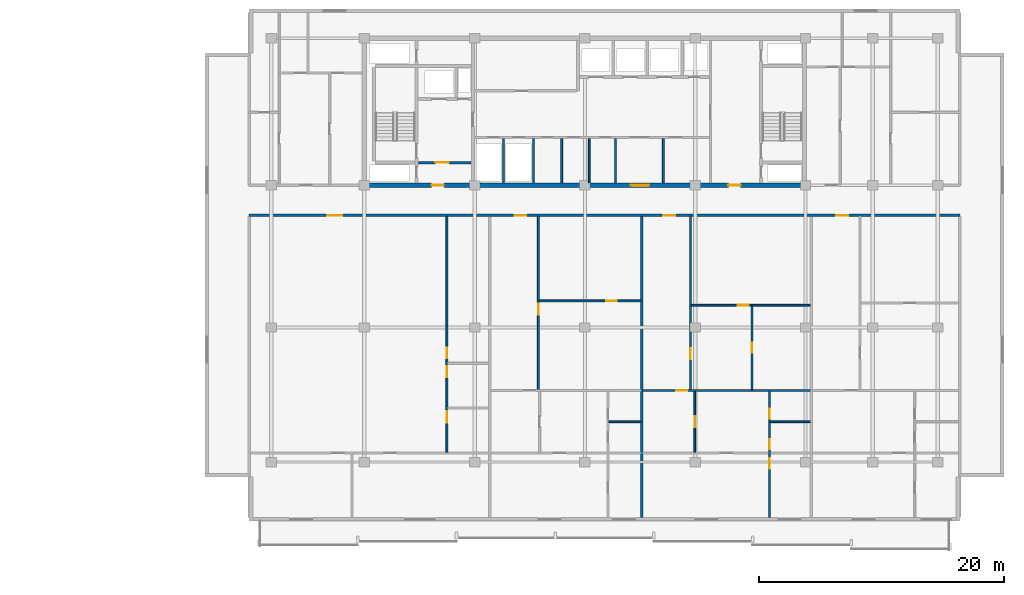
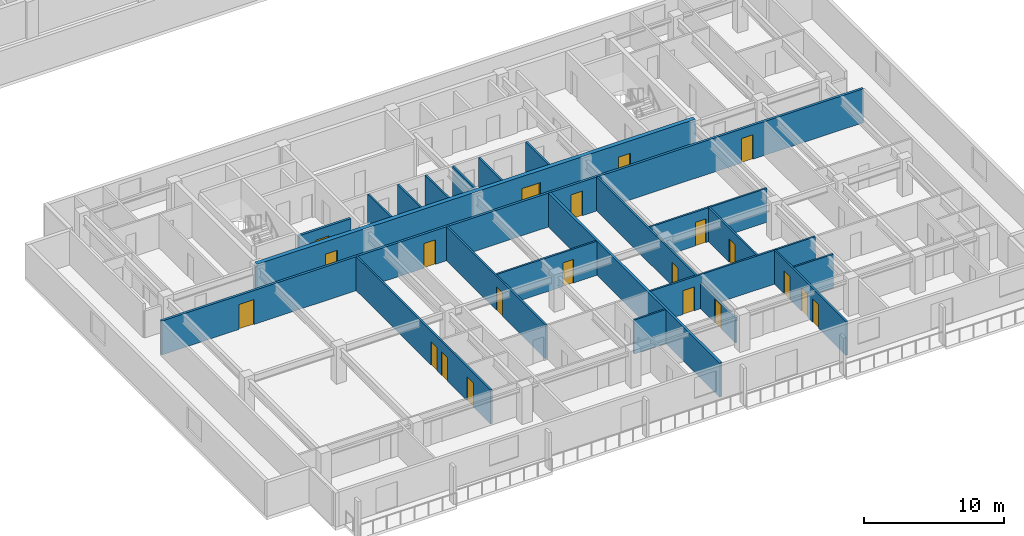
# One storey, part 5 of 21: 21 doors, 21 walls, 21 openings.
"""IFC4 building model written with IfcOpenShell, lengths in metres."""

from ifc_helpers import new_model, si_unit, direction, frame, frame_2d, origin, place, context, subcontext, project, spatial, rectangle, extrude, material, layer, layer_set, type_object, element, fill, save


model = new_model("IFC4")

# Units and contexts
model_context = context("Model", 3, precision=1e-05, world=origin(), true_north=direction((0.0, 1.0)))
body_context = subcontext(model_context, "Body", "Model", "MODEL_VIEW")
ifc_project = project(units=[si_unit("LENGTHUNIT", "METRE"), si_unit("AREAUNIT", "SQUARE_METRE"), si_unit("VOLUMEUNIT", "CUBIC_METRE"), si_unit("PLANEANGLEUNIT", "RADIAN"), si_unit("MASSUNIT", "GRAM", prefix="KILO")], contexts=[model_context])

# Site, building, storey
site_placement = place(None, origin())
site = spatial("IfcSite", under=ifc_project, at=site_placement, CompositionType="ELEMENT")
building_placement = place(site_placement, origin())
building = spatial("IfcBuilding", under=site, at=building_placement, Name="Korimba Cascade Residences", CompositionType="ELEMENT")
storey_placement = place(building_placement, frame((0.0, 0.0, 106.800048828125)))
storey = spatial("IfcBuildingStorey", under=building, at=storey_placement, Name="L30", CompositionType="ELEMENT", Elevation=106.800048828125)

# Wall, openings, doors
ifc_material_1 = material(Name="Concrete C65/80", Category="concrete")
ifc_layer_1 = layer(ifc_material_1, 0.35009765625)
ifc_layer_set_1 = layer_set([ifc_layer_1], Name="Concrete C65/80")
wall_type_1 = type_object("IfcWallType", Name="WAL-CORE-350", PredefinedType="SHEAR", material=ifc_layer_set_1)
wall_1_placement = place(storey_placement, frame((81.925048828125, 18.39990234375, 0.0), z_axis=(0.0, 0.0, 1.0), x_axis=(1.0, 0.0, 0.0)))
wall_1 = element("IfcWall", 1, at=wall_1_placement, inside=storey, type_object=wall_type_1, Name="L30 Core Shear Wall CW-L30-T2-S", PredefinedType="SHEAR", context=body_context, shape_type="SweptSolid", body=[
    extrude(rectangle(XDim=36.264892578125, YDim=0.35009765625, at=frame_2d((18.13232421875, 0.0))), origin(), (0.0, 0.0, 1.0), 3.25),
])
opening_1_placement = place(wall_1_placement, frame((5.675048828125, 0.0, 0.0)))
opening_1 = element("IfcOpeningElement", 2, at=opening_1_placement, cuts=wall_1, Name="Opening D-FD5", PredefinedType="OPENING", context=body_context, shape_type="SweptSolid", body=[
    extrude(rectangle(XDim=1.0, YDim=2.14990234375, at=frame_2d((0.5, 1.074951171875))), frame((0.0, 0.18505859375, 0.0), z_axis=(0.0, -1.0, 0.0), x_axis=(1.0, 0.0, 0.0)), (0.0, 0.0, 1.0), 0.3701171875),
])
opening_2_placement = place(wall_1_placement, frame((21.925048828125, 0.0, 0.0)))
opening_2 = element("IfcOpeningElement", 3, at=opening_2_placement, cuts=wall_1, Name="Opening D-FD8", PredefinedType="OPENING", context=body_context, shape_type="SweptSolid", body=[
    extrude(rectangle(XDim=1.5, YDim=2.199951171875, at=frame_2d((0.75, 1.10009765625))), frame((0.0, 0.18505859375, 0.0), z_axis=(0.0, -1.0, 0.0), x_axis=(1.0, 0.0, 0.0)), (0.0, 0.0, 1.0), 0.3701171875),
])
opening_3_placement = place(wall_1_placement, frame((29.875, 0.0, 0.0)))
opening_3 = element("IfcOpeningElement", 4, at=opening_3_placement, cuts=wall_1, Name="Opening D-FD5", PredefinedType="OPENING", context=body_context, shape_type="SweptSolid", body=[
    extrude(rectangle(XDim=1.0, YDim=2.14990234375, at=frame_2d((0.5, 1.074951171875))), frame((0.0, 0.18505859375, 0.0), z_axis=(0.0, -1.0, 0.0), x_axis=(1.0, 0.0, 0.0)), (0.0, 0.0, 1.0), 0.3701171875),
])
ifc_material_2 = material(Name="Fire-Rated Acoustic Timber Vestibule Door", Category="wood")
door_type_1 = type_object("IfcDoorType", Name="DR-FD90-1000", OperationType="NOTDEFINED", PredefinedType="DOOR", material=ifc_material_2)
door_1_placement = place(opening_1_placement, origin())
door_1 = element("IfcDoor", 5, at=door_1_placement, inside=storey, type_object=door_type_1, Name="L30 T2 West Core Vestibule Fire Door", OperationType="SINGLE_SWING_LEFT", OverallHeight=2.14990234375, OverallWidth=1.0, PredefinedType="DOOR", context=body_context, shape_type="SweptSolid", body=[
    extrude(rectangle(XDim=1.0, YDim=2.14990234375, at=frame_2d((0.5, 1.074951171875))), frame((0.0, 0.02490234375, 0.0), z_axis=(0.0, -1.0, 0.0), x_axis=(1.0, 0.0, 0.0)), (0.0, 0.0, 1.0), 0.050048828125),
])
fill(opening_1, door_1)
door_2_placement = place(opening_3_placement, origin())
door_2 = element("IfcDoor", 6, at=door_2_placement, inside=storey, type_object=door_type_1, Name="L30 T2 East Stair Vestibule Fire Door", OperationType="SINGLE_SWING_RIGHT", OverallHeight=2.14990234375, OverallWidth=1.0, PredefinedType="DOOR", context=body_context, shape_type="SweptSolid", body=[
    extrude(rectangle(XDim=1.0, YDim=2.14990234375, at=frame_2d((0.5, 1.074951171875))), frame((0.0, 0.02490234375, 0.0), z_axis=(0.0, -1.0, 0.0), x_axis=(1.0, 0.0, 0.0)), (0.0, 0.0, 1.0), 0.050048828125),
])
fill(opening_3, door_2)
ifc_material_3 = material(Name="Fire-Rated Glazed Lift Lobby Double Door", Category="glass")
door_type_2 = type_object("IfcDoorType", Name="DR-FD90-1500", OperationType="NOTDEFINED", PredefinedType="DOOR", material=ifc_material_3)
door_3_placement = place(opening_2_placement, origin())
door_3 = element("IfcDoor", 7, at=door_3_placement, inside=storey, type_object=door_type_2, Name="L30 T2 Lift Lobby Fire Door", OperationType="DOUBLE_DOOR_SINGLE_SWING", OverallHeight=2.199951171875, OverallWidth=1.5, PredefinedType="DOOR", context=body_context, shape_type="SweptSolid", body=[
    extrude(rectangle(XDim=1.5, YDim=2.199951171875, at=frame_2d((0.75, 1.10009765625))), frame((0.0, 0.02490234375, 0.0), z_axis=(0.0, -1.0, 0.0), x_axis=(1.0, 0.0, 0.0)), (0.0, 0.0, 1.0), 0.050048828125),
])
fill(opening_2, door_3)

# Wall
ifc_material_4 = material(Name="Precast concrete C40/50", Category="concrete")
ifc_layer_2 = layer(ifc_material_4, 0.199951171875)
ifc_layer_set_2 = layer_set([ifc_layer_2], Name="Precast concrete C40/50")
wall_type_2 = type_object("IfcWallType", Name="WAL-IT-200", PredefinedType="PARTITIONING", material=ifc_layer_set_2)
wall_2_placement = place(storey_placement, frame((104.75, -8.699951171875, 0.0), z_axis=(0.0, 0.0, 1.0), x_axis=(0.0, 1.0, 0.0)))
element("IfcWall", 8, at=wall_2_placement, inside=storey, type_object=wall_type_2, Name="L30 Partition Wall WAL-L30-T2-DEM-2", PredefinedType="PARTITIONING", context=body_context, shape_type="SweptSolid", body=[
    extrude(rectangle(XDim=24.570068359375, YDim=0.199951171875, at=frame_2d((12.28515625, 0.0))), origin(), (0.0, 0.0, 1.0), 2.969970703125),
])

# Wall, openings, doors
wall_3_placement = place(storey_placement, frame((72.699951171875, 15.949951171875, 0.0), z_axis=(0.0, 0.0, 1.0), x_axis=(1.0, 0.0, 0.0)))
wall_3 = element("IfcWall", 9, at=wall_3_placement, inside=storey, type_object=wall_type_2, Name="L30 Partition Wall WAL-L30-T2-CORS", PredefinedType="PARTITIONING", context=body_context, shape_type="SweptSolid", body=[
    extrude(rectangle(XDim=58.0, YDim=0.199951171875, at=frame_2d((29.0, 0.0))), origin(), (0.0, 0.0, 1.0), 2.969970703125),
])
opening_4_placement = place(wall_3_placement, frame((6.373291015625, 0.0, 0.0)))
opening_4 = element("IfcOpeningElement", 10, at=opening_4_placement, cuts=wall_3, Name="Opening D-AM1", PredefinedType="OPENING", context=body_context, shape_type="SweptSolid", body=[
    extrude(rectangle(XDim=1.219970703125, YDim=2.179931640625, at=frame_2d((0.60986328125, 1.08984375))), frame((0.0, 0.10986328125, 0.0), z_axis=(0.0, -1.0, 0.0), x_axis=(1.0, 0.0, 0.0)), (0.0, 0.0, 1.0), 0.219970703125),
])
opening_5_placement = place(wall_3_placement, frame((21.67822265625, 0.0, 0.0)))
opening_5 = element("IfcOpeningElement", 11, at=opening_5_placement, cuts=wall_3, Name="Opening D-UN1", PredefinedType="OPENING", context=body_context, shape_type="SweptSolid", body=[
    extrude(rectangle(XDim=0.949951171875, YDim=2.14990234375, at=frame_2d((0.47509765625, 1.074951171875))), frame((0.0, 0.10986328125, 0.0), z_axis=(0.0, -1.0, 0.0), x_axis=(1.0, 0.0, 0.0)), (0.0, 0.0, 1.0), 0.219970703125),
])
opening_6_placement = place(wall_3_placement, frame((33.81201171875, 0.0, 0.0)))
opening_6 = element("IfcOpeningElement", 12, at=opening_6_placement, cuts=wall_3, Name="Opening D-UN1", PredefinedType="OPENING", context=body_context, shape_type="SweptSolid", body=[
    extrude(rectangle(XDim=0.949951171875, YDim=2.14990234375, at=frame_2d((0.47509765625, 1.074951171875))), frame((0.0, 0.10986328125, 0.0), z_axis=(0.0, -1.0, 0.0), x_axis=(1.0, 0.0, 0.0)), (0.0, 0.0, 1.0), 0.219970703125),
])
opening_7_placement = place(wall_3_placement, frame((47.92822265625, 0.0, 0.0)))
opening_7 = element("IfcOpeningElement", 13, at=opening_7_placement, cuts=wall_3, Name="Opening D-UN1", PredefinedType="OPENING", context=body_context, shape_type="SweptSolid", body=[
    extrude(rectangle(XDim=0.949951171875, YDim=2.14990234375, at=frame_2d((0.47509765625, 1.074951171875))), frame((0.0, 0.10986328125, 0.0), z_axis=(0.0, -1.0, 0.0), x_axis=(1.0, 0.0, 0.0)), (0.0, 0.0, 1.0), 0.219970703125),
])
ifc_material_5 = material(Name="Fire-Rated Glazed Timber Suite Door", Category="wood")
door_type_3 = type_object("IfcDoorType", Name="DR-FD60-1200", OperationType="NOTDEFINED", PredefinedType="DOOR", material=ifc_material_5)
door_4_placement = place(opening_4_placement, origin())
door_4 = element("IfcDoor", 14, at=door_4_placement, inside=storey, type_object=door_type_3, Name="L30-T2-U01 Architecture Reading Library Door", OperationType="SINGLE_SWING_RIGHT", OverallHeight=2.179931640625, OverallWidth=1.219970703125, PredefinedType="DOOR", context=body_context, shape_type="SweptSolid", body=[
    extrude(rectangle(XDim=1.219970703125, YDim=2.179931640625, at=frame_2d((0.60986328125, 1.08984375))), frame((0.0, 0.02490234375, 0.0), z_axis=(0.0, -1.0, 0.0), x_axis=(1.0, 0.0, 0.0)), (0.0, 0.0, 1.0), 0.050048828125),
])
fill(opening_4, door_4)
ifc_material_6 = material(Name="Fire-Rated Hardwood Apartment Entrance Door", Category="wood")
door_type_4 = type_object("IfcDoorType", Name="DR-FD60-950", OperationType="NOTDEFINED", PredefinedType="DOOR", material=ifc_material_6)
door_5_placement = place(opening_5_placement, origin())
door_5 = element("IfcDoor", 15, at=door_5_placement, inside=storey, type_object=door_type_4, Name="Unit L30-T2-U02 Entrance Door", OperationType="SINGLE_SWING_LEFT", OverallHeight=2.14990234375, OverallWidth=0.949951171875, PredefinedType="DOOR", context=body_context, shape_type="SweptSolid", body=[
    extrude(rectangle(XDim=0.949951171875, YDim=2.14990234375, at=frame_2d((0.47509765625, 1.074951171875))), frame((0.0, 0.02490234375, 0.0), z_axis=(0.0, -1.0, 0.0), x_axis=(1.0, 0.0, 0.0)), (0.0, 0.0, 1.0), 0.050048828125),
])
fill(opening_5, door_5)
door_6_placement = place(opening_6_placement, origin())
door_6 = element("IfcDoor", 16, at=door_6_placement, inside=storey, type_object=door_type_4, Name="Unit L30-T2-U03 Entrance Door", OperationType="SINGLE_SWING_RIGHT", OverallHeight=2.14990234375, OverallWidth=0.949951171875, PredefinedType="DOOR", context=body_context, shape_type="SweptSolid", body=[
    extrude(rectangle(XDim=0.949951171875, YDim=2.14990234375, at=frame_2d((0.47509765625, 1.074951171875))), frame((0.0, 0.02490234375, 0.0), z_axis=(0.0, -1.0, 0.0), x_axis=(1.0, 0.0, 0.0)), (0.0, 0.0, 1.0), 0.050048828125),
])
fill(opening_6, door_6)
door_7_placement = place(opening_7_placement, origin())
door_7 = element("IfcDoor", 17, at=door_7_placement, inside=storey, type_object=door_type_4, Name="Unit L30-T2-U04 Entrance Door", OperationType="SINGLE_SWING_LEFT", OverallHeight=2.14990234375, OverallWidth=0.949951171875, PredefinedType="DOOR", context=body_context, shape_type="SweptSolid", body=[
    extrude(rectangle(XDim=0.949951171875, YDim=2.14990234375, at=frame_2d((0.47509765625, 1.074951171875))), frame((0.0, 0.02490234375, 0.0), z_axis=(0.0, -1.0, 0.0), x_axis=(1.0, 0.0, 0.0)), (0.0, 0.0, 1.0), 0.050048828125),
])
fill(opening_7, door_7)

# Walls
ifc_material_7 = material(Name="Insulated Acoustic Stud Partition", Category="gypsum")
ifc_layer_3 = layer(ifc_material_7, 0.14990234375)
ifc_layer_set_3 = layer_set([ifc_layer_3], Name="Insulated Acoustic Stud Partition")
wall_type_3 = type_object("IfcWallType", Name="WAL-PART-150", PredefinedType="PARTITIONING", material=ifc_layer_set_3)
for number, where, z_axis, x_axis, name in (
    (18, (93.449951171875, 18.60009765625, 0.0), (0.0, 0.0, 1.0), (0.0, 1.0, 0.0), "L30 Partition Wall CW-L30-T2-ERDIV"),
    (19, (95.89990234375, 18.60009765625, 0.0), (0.0, 0.0, 1.0), (0.0, 1.0, 0.0), "L30 Partition Wall CW-L30-T2-PRDIV"),
    (20, (98.199951171875, 18.60009765625, 0.0), (0.0, 0.0, 1.0), (0.0, 1.0, 0.0), "L30 Partition Wall CW-L30-T2-CA1W1"),
    (21, (100.449951171875, 18.60009765625, 0.0), (0.0, 0.0, 1.0), (0.0, 1.0, 0.0), "L30 Partition Wall CW-L30-T2-CA1W2"),
    (22, (102.60009765625, 18.60009765625, 0.0), (0.0, 0.0, 1.0), (0.0, 1.0, 0.0), "L30 Partition Wall CW-L30-T2-THW"),
    (23, (106.5, 18.60009765625, 0.0), (0.0, 0.0, 1.0), (0.0, 1.0, 0.0), "L30 Partition Wall CW-L30-T2-THE"),
):
    element("IfcWall", number, at=place(storey_placement, frame(where, z_axis=z_axis, x_axis=x_axis)), inside=storey, type_object=wall_type_3, Name=name, PredefinedType="PARTITIONING", context=body_context, shape_type="SweptSolid", body=[
        extrude(rectangle(XDim=3.599853515625, YDim=0.14990234375, at=frame_2d((1.7998046875, 0.0))), origin(), (0.0, 0.0, 1.0), 2.969970703125),
    ])

# Wall, openings, doors
wall_4_placement = place(storey_placement, frame((88.833251953125, -3.389892578125, 0.0), z_axis=(0.0, 0.0, 1.0), x_axis=(0.0, 1.0, 0.0)))
wall_4 = element("IfcWall", 24, at=wall_4_placement, inside=storey, type_object=wall_type_3, Name="L30 Partition Wall WAL-L30-T2-U01-WCV", PredefinedType="PARTITIONING", context=body_context, shape_type="SweptSolid", body=[
    extrude(rectangle(XDim=19.27978515625, YDim=0.14990234375, at=frame_2d((9.639892578125, 0.0))), origin(), (0.0, 0.0, 1.0), 2.969970703125),
])
opening_8_placement = place(wall_4_placement, frame((2.406005859375, 0.0, 0.0)))
opening_8 = element("IfcOpeningElement", 25, at=opening_8_placement, cuts=wall_4, Name="Opening D-AC1", PredefinedType="OPENING", context=body_context, shape_type="SweptSolid", body=[
    extrude(rectangle(XDim=0.9599609375, YDim=2.10009765625, at=frame_2d((0.47998046875, 1.050048828125))), frame((0.0, 0.0849609375, 0.0), z_axis=(0.0, -1.0, 0.0), x_axis=(1.0, 0.0, 0.0)), (0.0, 0.0, 1.0), 0.169921875),
])
opening_9_placement = place(wall_4_placement, frame((6.132568359375, 0.0, 0.0)))
opening_9 = element("IfcOpeningElement", 26, at=opening_9_placement, cuts=wall_4, Name="Opening D-IN2", PredefinedType="OPENING", context=body_context, shape_type="SweptSolid", body=[
    extrude(rectangle(XDim=0.8798828125, YDim=2.06005859375, at=frame_2d((0.43994140625, 1.030029296875))), frame((0.0, 0.0849609375, 0.0), z_axis=(0.0, -1.0, 0.0), x_axis=(1.0, 0.0, 0.0)), (0.0, 0.0, 1.0), 0.169921875),
])
opening_10_placement = place(wall_4_placement, frame((7.67431640625, 0.0, 0.0)))
opening_10 = element("IfcOpeningElement", 27, at=opening_10_placement, cuts=wall_4, Name="Opening D-BT1", PredefinedType="OPENING", context=body_context, shape_type="SweptSolid", body=[
    extrude(rectangle(XDim=0.840087890625, YDim=2.0400390625, at=frame_2d((0.419921875, 1.02001953125))), frame((0.0, 0.0849609375, 0.0), z_axis=(0.0, -1.0, 0.0), x_axis=(1.0, 0.0, 0.0)), (0.0, 0.0, 1.0), 0.169921875),
])
ifc_material_8 = material(Name="Accessible Acoustic Timber WC Door", Category="wood")
door_type_5 = type_object("IfcDoorType", Name="DR-ACC-950", OperationType="NOTDEFINED", PredefinedType="DOOR", material=ifc_material_8)
door_8_placement = place(opening_8_placement, origin())
door_8 = element("IfcDoor", 28, at=door_8_placement, inside=storey, type_object=door_type_5, Name="L30-T2-U01 Accessible WC Door", OperationType="SINGLE_SWING_LEFT", OverallHeight=2.10009765625, OverallWidth=0.9599609375, PredefinedType="DOOR", context=body_context, shape_type="SweptSolid", body=[
    extrude(rectangle(XDim=0.9599609375, YDim=2.10009765625, at=frame_2d((0.47998046875, 1.050048828125))), frame((0.0, 0.02490234375, 0.0), z_axis=(0.0, -1.0, 0.0), x_axis=(1.0, 0.0, 0.0)), (0.0, 0.0, 1.0), 0.050048828125),
])
fill(opening_8, door_8)
ifc_material_9 = material(Name="Moisture-Resistant Bathroom Timber Door", Category="wood")
door_type_6 = type_object("IfcDoorType", Name="DR-INT-850", OperationType="NOTDEFINED", PredefinedType="DOOR", material=ifc_material_9)
door_9_placement = place(opening_10_placement, origin())
door_9 = element("IfcDoor", 29, at=door_9_placement, inside=storey, type_object=door_type_6, Name="L30-T2-U01 Suite Store Door", OperationType="SINGLE_SWING_LEFT", OverallHeight=2.0400390625, OverallWidth=0.840087890625, PredefinedType="DOOR", context=body_context, shape_type="SweptSolid", body=[
    extrude(rectangle(XDim=0.840087890625, YDim=2.0400390625, at=frame_2d((0.419921875, 1.02001953125))), frame((0.0, 0.02490234375, 0.0), z_axis=(0.0, -1.0, 0.0), x_axis=(1.0, 0.0, 0.0)), (0.0, 0.0, 1.0), 0.050048828125),
])
fill(opening_10, door_9)
ifc_material_10 = material(Name="Acoustic Timber Bedroom Door", Category="wood")
door_type_7 = type_object("IfcDoorType", Name="DR-INT-880", OperationType="NOTDEFINED", PredefinedType="DOOR", material=ifc_material_10)
door_10_placement = place(opening_9_placement, origin())
door_10 = element("IfcDoor", 30, at=door_10_placement, inside=storey, type_object=door_type_7, Name="L30-T2-U01 Restroom WC Door", OperationType="SINGLE_SWING_RIGHT", OverallHeight=2.06005859375, OverallWidth=0.8798828125, PredefinedType="DOOR", context=body_context, shape_type="SweptSolid", body=[
    extrude(rectangle(XDim=0.8798828125, YDim=2.06005859375, at=frame_2d((0.43994140625, 1.030029296875))), frame((0.0, 0.02490234375, 0.0), z_axis=(0.0, -1.0, 0.0), x_axis=(1.0, 0.0, 0.0)), (0.0, 0.0, 1.0), 0.050048828125),
])
fill(opening_9, door_10)

# Wall, opening, door
wall_5_placement = place(storey_placement, frame((96.36328125, 8.969970703125, 0.0), z_axis=(0.0, 0.0, 1.0), x_axis=(1.0, 0.0, 0.0)))
wall_5 = element("IfcWall", 31, at=wall_5_placement, inside=storey, type_object=wall_type_3, Name="L30 Partition Wall WAL-L30-T2-U02-FMH", PredefinedType="PARTITIONING", context=body_context, shape_type="SweptSolid", body=[
    extrude(rectangle(XDim=8.306640625, YDim=0.14990234375, at=frame_2d((4.1533203125, 0.0))), origin(), (0.0, 0.0, 1.0), 2.969970703125),
])
opening_11_placement = place(wall_5_placement, frame((5.46240234375, 0.0, 0.0)))
opening_11 = element("IfcOpeningElement", 32, at=opening_11_placement, cuts=wall_5, Name="Opening D-IN2", PredefinedType="OPENING", context=body_context, shape_type="SweptSolid", body=[
    extrude(rectangle(XDim=0.8798828125, YDim=2.06005859375, at=frame_2d((0.43994140625, 1.030029296875))), frame((0.0, 0.0849609375, 0.0), z_axis=(0.0, -1.0, 0.0), x_axis=(1.0, 0.0, 0.0)), (0.0, 0.0, 1.0), 0.169921875),
])
door_11_placement = place(opening_11_placement, origin())
door_11 = element("IfcDoor", 33, at=door_11_placement, inside=storey, type_object=door_type_7, Name="L30-T2-U02 Library Salon Door", OperationType="SINGLE_SWING_RIGHT", OverallHeight=2.06005859375, OverallWidth=0.8798828125, PredefinedType="DOOR", context=body_context, shape_type="SweptSolid", body=[
    extrude(rectangle(XDim=0.8798828125, YDim=2.06005859375, at=frame_2d((0.43994140625, 1.030029296875))), frame((0.0, 0.02490234375, 0.0), z_axis=(0.0, -1.0, 0.0), x_axis=(1.0, 0.0, 0.0)), (0.0, 0.0, 1.0), 0.050048828125),
])
fill(opening_11, door_11)

wall_6_placement = place(storey_placement, frame((96.30322265625, 1.68994140625, 0.0), z_axis=(0.0, 0.0, 1.0), x_axis=(0.0, 1.0, 0.0)))
wall_6 = element("IfcWall", 34, at=wall_6_placement, inside=storey, type_object=wall_type_3, Name="L30 Partition Wall WAL-L30-T2-U02-FV", PredefinedType="PARTITIONING", context=body_context, shape_type="SweptSolid", body=[
    extrude(rectangle(XDim=14.199951171875, YDim=0.14990234375, at=frame_2d((7.10009765625, 0.0))), origin(), (0.0, 0.0, 1.0), 2.969970703125),
])
opening_12_placement = place(wall_6_placement, frame((6.14990234375, 0.0, 0.0)))
opening_12 = element("IfcOpeningElement", 35, at=opening_12_placement, cuts=wall_6, Name="Opening D-IN2", PredefinedType="OPENING", context=body_context, shape_type="SweptSolid", body=[
    extrude(rectangle(XDim=0.8798828125, YDim=2.06005859375, at=frame_2d((0.43994140625, 1.030029296875))), frame((0.0, 0.0849609375, 0.0), z_axis=(0.0, -1.0, 0.0), x_axis=(1.0, 0.0, 0.0)), (0.0, 0.0, 1.0), 0.169921875),
])
door_12_placement = place(opening_12_placement, origin())
door_12 = element("IfcDoor", 36, at=door_12_placement, inside=storey, type_object=door_type_7, Name="L30-T2-U02 Media Lounge Door", OperationType="SINGLE_SWING_LEFT", OverallHeight=2.06005859375, OverallWidth=0.8798828125, PredefinedType="DOOR", context=body_context, shape_type="SweptSolid", body=[
    extrude(rectangle(XDim=0.8798828125, YDim=2.06005859375, at=frame_2d((0.43994140625, 1.030029296875))), frame((0.0, 0.02490234375, 0.0), z_axis=(0.0, -1.0, 0.0), x_axis=(1.0, 0.0, 0.0)), (0.0, 0.0, 1.0), 0.050048828125),
])
fill(opening_12, door_12)

# Wall
wall_7_placement = place(storey_placement, frame((102.0400390625, -0.889892578125, 0.0), z_axis=(0.0, 0.0, 1.0), x_axis=(1.0, 0.0, 0.0)))
element("IfcWall", 37, at=wall_7_placement, inside=storey, type_object=wall_type_3, Name="L30 Partition Wall WAL-L30-T2-U02-BLDIV", PredefinedType="PARTITIONING", context=body_context, shape_type="SweptSolid", body=[
    extrude(rectangle(XDim=2.6298828125, YDim=0.14990234375, at=frame_2d((1.31494140625, 0.0))), origin(), (0.0, 0.0, 1.0), 2.969970703125),
])

# Wall, opening, door
wall_8_placement = place(storey_placement, frame((113.74169921875, 1.68994140625, 0.0), z_axis=(0.0, 0.0, 1.0), x_axis=(0.0, 1.0, 0.0)))
wall_8 = element("IfcWall", 38, at=wall_8_placement, inside=storey, type_object=wall_type_3, Name="L30 Partition Wall WAL-L30-T2-U03-FMV", PredefinedType="PARTITIONING", context=body_context, shape_type="SweptSolid", body=[
    extrude(rectangle(XDim=6.920166015625, YDim=0.14990234375, at=frame_2d((3.4599609375, 0.0))), origin(), (0.0, 0.0, 1.0), 2.969970703125),
])
opening_13_placement = place(wall_8_placement, frame((3.0400390625, 0.0, 0.0)))
opening_13 = element("IfcOpeningElement", 39, at=opening_13_placement, cuts=wall_8, Name="Opening D-BT1", PredefinedType="OPENING", context=body_context, shape_type="SweptSolid", body=[
    extrude(rectangle(XDim=0.840087890625, YDim=2.0400390625, at=frame_2d((0.419921875, 1.02001953125))), frame((0.0, 0.0849609375, 0.0), z_axis=(0.0, -1.0, 0.0), x_axis=(1.0, 0.0, 0.0)), (0.0, 0.0, 1.0), 0.169921875),
])
door_13_placement = place(opening_13_placement, origin())
door_13 = element("IfcDoor", 40, at=door_13_placement, inside=storey, type_object=door_type_6, Name="L30-T2-U03 Wardrobe Door", OperationType="SINGLE_SWING_RIGHT", OverallHeight=2.0400390625, OverallWidth=0.840087890625, PredefinedType="DOOR", context=body_context, shape_type="SweptSolid", body=[
    extrude(rectangle(XDim=0.840087890625, YDim=2.0400390625, at=frame_2d((0.419921875, 1.02001953125))), frame((0.0, 0.02490234375, 0.0), z_axis=(0.0, -1.0, 0.0), x_axis=(1.0, 0.0, 0.0)), (0.0, 0.0, 1.0), 0.050048828125),
])
fill(opening_13, door_13)

wall_9_placement = place(storey_placement, frame((108.780029296875, 8.610107421875, 0.0), z_axis=(0.0, 0.0, 1.0), x_axis=(1.0, 0.0, 0.0)))
wall_9 = element("IfcWall", 41, at=wall_9_placement, inside=storey, type_object=wall_type_3, Name="L30 Partition Wall WAL-L30-T2-U03-FMH", PredefinedType="PARTITIONING", context=body_context, shape_type="SweptSolid", body=[
    extrude(rectangle(XDim=9.723388671875, YDim=0.14990234375, at=frame_2d((4.86181640625, 0.0))), origin(), (0.0, 0.0, 1.0), 2.969970703125),
])
opening_14_placement = place(wall_9_placement, frame((3.79150390625, 0.0, 0.0)))
opening_14 = element("IfcOpeningElement", 42, at=opening_14_placement, cuts=wall_9, Name="Opening D-IN2", PredefinedType="OPENING", context=body_context, shape_type="SweptSolid", body=[
    extrude(rectangle(XDim=0.8798828125, YDim=2.06005859375, at=frame_2d((0.43994140625, 1.030029296875))), frame((0.0, 0.0849609375, 0.0), z_axis=(0.0, -1.0, 0.0), x_axis=(1.0, 0.0, 0.0)), (0.0, 0.0, 1.0), 0.169921875),
])
door_14_placement = place(opening_14_placement, origin())
door_14 = element("IfcDoor", 43, at=door_14_placement, inside=storey, type_object=door_type_7, Name="L30-T2-U03 Library Salon Door", OperationType="SINGLE_SWING_LEFT", OverallHeight=2.06005859375, OverallWidth=0.8798828125, PredefinedType="DOOR", context=body_context, shape_type="SweptSolid", body=[
    extrude(rectangle(XDim=0.8798828125, YDim=2.06005859375, at=frame_2d((0.43994140625, 1.030029296875))), frame((0.0, 0.02490234375, 0.0), z_axis=(0.0, -1.0, 0.0), x_axis=(1.0, 0.0, 0.0)), (0.0, 0.0, 1.0), 0.050048828125),
])
fill(opening_14, door_14)

wall_10_placement = place(storey_placement, frame((108.719970703125, 1.68994140625, 0.0), z_axis=(0.0, 0.0, 1.0), x_axis=(0.0, 1.0, 0.0)))
wall_10 = element("IfcWall", 44, at=wall_10_placement, inside=storey, type_object=wall_type_3, Name="L30 Partition Wall WAL-L30-T2-U03-FV", PredefinedType="PARTITIONING", context=body_context, shape_type="SweptSolid", body=[
    extrude(rectangle(XDim=14.199951171875, YDim=0.14990234375, at=frame_2d((7.10009765625, 0.0))), origin(), (0.0, 0.0, 1.0), 2.969970703125),
])
opening_15_placement = place(wall_10_placement, frame((2.52587890625, 0.0, 0.0)))
opening_15 = element("IfcOpeningElement", 45, at=opening_15_placement, cuts=wall_10, Name="Opening D-IN2", PredefinedType="OPENING", context=body_context, shape_type="SweptSolid", body=[
    extrude(rectangle(XDim=0.8798828125, YDim=2.06005859375, at=frame_2d((0.43994140625, 1.030029296875))), frame((0.0, 0.0849609375, 0.0), z_axis=(0.0, -1.0, 0.0), x_axis=(1.0, 0.0, 0.0)), (0.0, 0.0, 1.0), 0.169921875),
])
door_15_placement = place(opening_15_placement, origin())
door_15 = element("IfcDoor", 46, at=door_15_placement, inside=storey, type_object=door_type_7, Name="L30-T2-U03 Media Lounge Door", OperationType="SINGLE_SWING_RIGHT", OverallHeight=2.06005859375, OverallWidth=0.8798828125, PredefinedType="DOOR", context=body_context, shape_type="SweptSolid", body=[
    extrude(rectangle(XDim=0.8798828125, YDim=2.06005859375, at=frame_2d((0.43994140625, 1.030029296875))), frame((0.0, 0.02490234375, 0.0), z_axis=(0.0, -1.0, 0.0), x_axis=(1.0, 0.0, 0.0)), (0.0, 0.0, 1.0), 0.050048828125),
])
fill(opening_15, door_15)

wall_11_placement = place(storey_placement, frame((109.070068359375, -3.389892578125, 0.0), z_axis=(0.0, 0.0, 1.0), x_axis=(0.0, 1.0, 0.0)))
wall_11 = element("IfcWall", 47, at=wall_11_placement, inside=storey, type_object=wall_type_3, Name="L30 Partition Wall WAL-L30-T2-U03-VDIN", PredefinedType="PARTITIONING", context=body_context, shape_type="SweptSolid", body=[
    extrude(rectangle(XDim=5.0, YDim=0.14990234375, at=frame_2d((2.5, 0.0))), origin(), (0.0, 0.0, 1.0), 2.2001953125),
])
opening_16_placement = place(wall_11_placement, frame((2.06005859375, 0.0, 0.0)))
opening_16 = element("IfcOpeningElement", 48, at=opening_16_placement, cuts=wall_11, Name="Opening D-IN2", PredefinedType="OPENING", context=body_context, shape_type="SweptSolid", body=[
    extrude(rectangle(XDim=0.8798828125, YDim=2.06005859375, at=frame_2d((0.43994140625, 1.030029296875))), frame((0.0, 0.0849609375, 0.0), z_axis=(0.0, -1.0, 0.0), x_axis=(1.0, 0.0, 0.0)), (0.0, 0.0, 1.0), 0.169921875),
])
door_16_placement = place(opening_16_placement, origin())
door_16 = element("IfcDoor", 49, at=door_16_placement, inside=storey, type_object=door_type_7, Name="L30-T2-U03 Dining Room Door", OperationType="SINGLE_SWING_LEFT", OverallHeight=2.06005859375, OverallWidth=0.8798828125, PredefinedType="DOOR", context=body_context, shape_type="SweptSolid", body=[
    extrude(rectangle(XDim=0.8798828125, YDim=2.06005859375, at=frame_2d((0.43994140625, 1.030029296875))), frame((0.0, 0.02490234375, 0.0), z_axis=(0.0, -1.0, 0.0), x_axis=(1.0, 0.0, 0.0)), (0.0, 0.0, 1.0), 0.050048828125),
])
fill(opening_16, door_16)

# Wall
wall_12_placement = place(storey_placement, frame((115.223388671875, -0.889892578125, 0.0), z_axis=(0.0, 0.0, 1.0), x_axis=(1.0, 0.0, 0.0)))
element("IfcWall", 50, at=wall_12_placement, inside=storey, type_object=wall_type_3, Name="L30 Partition Wall WAL-L30-T2-U03-BLDIV", PredefinedType="PARTITIONING", context=body_context, shape_type="SweptSolid", body=[
    extrude(rectangle(XDim=3.280029296875, YDim=0.14990234375, at=frame_2d((1.64013671875, 0.0))), origin(), (0.0, 0.0, 1.0), 2.969970703125),
])

# Wall, openings, doors
wall_13_placement = place(storey_placement, frame((115.163330078125, -8.699951171875, 0.0), z_axis=(0.0, 0.0, 1.0), x_axis=(0.0, 1.0, 0.0)))
wall_13 = element("IfcWall", 51, at=wall_13_placement, inside=storey, type_object=wall_type_3, Name="L30 Partition Wall WAL-L30-T2-U03-V1", PredefinedType="PARTITIONING", context=body_context, shape_type="SweptSolid", body=[
    extrude(rectangle(XDim=10.31005859375, YDim=0.14990234375, at=frame_2d((5.155029296875, 0.0))), origin(), (0.0, 0.0, 1.0), 2.969970703125),
])
opening_17_placement = place(wall_13_placement, frame((5.550048828125, 0.0, 0.0)))
opening_17 = element("IfcOpeningElement", 52, at=opening_17_placement, cuts=wall_13, Name="Opening D-BT1", PredefinedType="OPENING", context=body_context, shape_type="SweptSolid", body=[
    extrude(rectangle(XDim=0.840087890625, YDim=2.0400390625, at=frame_2d((0.419921875, 1.02001953125))), frame((0.0, 0.0849609375, 0.0), z_axis=(0.0, -1.0, 0.0), x_axis=(1.0, 0.0, 0.0)), (0.0, 0.0, 1.0), 0.169921875),
])
opening_18_placement = place(wall_13_placement, frame((8.03955078125, 0.0, 0.0)))
opening_18 = element("IfcOpeningElement", 53, at=opening_18_placement, cuts=wall_13, Name="Opening D-BT1", PredefinedType="OPENING", context=body_context, shape_type="SweptSolid", body=[
    extrude(rectangle(XDim=0.840087890625, YDim=2.0400390625, at=frame_2d((0.419921875, 1.02001953125))), frame((0.0, 0.0849609375, 0.0), z_axis=(0.0, -1.0, 0.0), x_axis=(1.0, 0.0, 0.0)), (0.0, 0.0, 1.0), 0.169921875),
])
opening_19_placement = place(wall_13_placement, frame((3.949951171875, 0.0, 0.0)))
opening_19 = element("IfcOpeningElement", 54, at=opening_19_placement, cuts=wall_13, Name="Opening D-IN2", PredefinedType="OPENING", context=body_context, shape_type="SweptSolid", body=[
    extrude(rectangle(XDim=0.8798828125, YDim=2.06005859375, at=frame_2d((0.43994140625, 1.030029296875))), frame((0.0, 0.0849609375, 0.0), z_axis=(0.0, -1.0, 0.0), x_axis=(1.0, 0.0, 0.0)), (0.0, 0.0, 1.0), 0.169921875),
])
door_17_placement = place(opening_17_placement, origin())
door_17 = element("IfcDoor", 55, at=door_17_placement, inside=storey, type_object=door_type_6, Name="L30-T2-U03 Bathroom Door", OperationType="SINGLE_SWING_RIGHT", OverallHeight=2.0400390625, OverallWidth=0.840087890625, PredefinedType="DOOR", context=body_context, shape_type="SweptSolid", body=[
    extrude(rectangle(XDim=0.840087890625, YDim=2.0400390625, at=frame_2d((0.419921875, 1.02001953125))), frame((0.0, 0.02490234375, 0.0), z_axis=(0.0, -1.0, 0.0), x_axis=(1.0, 0.0, 0.0)), (0.0, 0.0, 1.0), 0.050048828125),
])
fill(opening_17, door_17)
door_18_placement = place(opening_18_placement, origin())
door_18 = element("IfcDoor", 56, at=door_18_placement, inside=storey, type_object=door_type_6, Name="L30-T2-U03 Laundry Door", OperationType="SINGLE_SWING_LEFT", OverallHeight=2.0400390625, OverallWidth=0.840087890625, PredefinedType="DOOR", context=body_context, shape_type="SweptSolid", body=[
    extrude(rectangle(XDim=0.840087890625, YDim=2.0400390625, at=frame_2d((0.419921875, 1.02001953125))), frame((0.0, 0.02490234375, 0.0), z_axis=(0.0, -1.0, 0.0), x_axis=(1.0, 0.0, 0.0)), (0.0, 0.0, 1.0), 0.050048828125),
])
fill(opening_18, door_18)
door_19_placement = place(opening_19_placement, origin())
door_19 = element("IfcDoor", 57, at=door_19_placement, inside=storey, type_object=door_type_7, Name="L30-T2-U03 Bedroom 1 Door", OperationType="SINGLE_SWING_RIGHT", OverallHeight=2.06005859375, OverallWidth=0.8798828125, PredefinedType="DOOR", context=body_context, shape_type="SweptSolid", body=[
    extrude(rectangle(XDim=0.8798828125, YDim=2.06005859375, at=frame_2d((0.43994140625, 1.030029296875))), frame((0.0, 0.02490234375, 0.0), z_axis=(0.0, -1.0, 0.0), x_axis=(1.0, 0.0, 0.0)), (0.0, 0.0, 1.0), 0.050048828125),
])
fill(opening_19, door_19)

# Wall, opening, door
wall_14_placement = place(storey_placement, frame((104.830078125, 1.64990234375, 0.0), z_axis=(0.0, 0.0, 1.0), x_axis=(1.0, 0.0, 0.0)))
wall_14 = element("IfcWall", 58, at=wall_14_placement, inside=storey, type_object=wall_type_3, Name="L30 Partition Wall WAL-L30-T2-U03-MW", PredefinedType="PARTITIONING", context=body_context, shape_type="SweptSolid", body=[
    extrude(rectangle(XDim=13.67333984375, YDim=0.14990234375, at=frame_2d((6.836669921875, 0.0))), origin(), (0.0, 0.0, 1.0), 2.969970703125),
])
opening_20_placement = place(wall_14_placement, frame((2.719970703125, 0.0, 0.0)))
opening_20 = element("IfcOpeningElement", 59, at=opening_20_placement, cuts=wall_14, Name="Opening D-IN1", PredefinedType="OPENING", context=body_context, shape_type="SweptSolid", body=[
    extrude(rectangle(XDim=0.919921875, YDim=2.080078125, at=frame_2d((0.4599609375, 1.0400390625))), frame((0.0, 0.0849609375, 0.0), z_axis=(0.0, -1.0, 0.0), x_axis=(1.0, 0.0, 0.0)), (0.0, 0.0, 1.0), 0.169921875),
])
ifc_material_11 = material(Name="Acoustic Timber Living Door", Category="wood")
door_type_8 = type_object("IfcDoorType", Name="DR-INT-920", OperationType="NOTDEFINED", PredefinedType="DOOR", material=ifc_material_11)
door_20_placement = place(opening_20_placement, origin())
door_20 = element("IfcDoor", 60, at=door_20_placement, inside=storey, type_object=door_type_8, Name="L30-T2-U03 Kitchen Archway Door", OperationType="SINGLE_SWING_LEFT", OverallHeight=2.080078125, OverallWidth=0.919921875, PredefinedType="DOOR", context=body_context, shape_type="SweptSolid", body=[
    extrude(rectangle(XDim=0.919921875, YDim=2.080078125, at=frame_2d((0.4599609375, 1.0400390625))), frame((0.0, 0.02490234375, 0.0), z_axis=(0.0, -1.0, 0.0), x_axis=(1.0, 0.0, 0.0)), (0.0, 0.0, 1.0), 0.050048828125),
])
fill(opening_20, door_20)

ifc_material_12 = material(Name="Concrete C40/50", Category="concrete")
ifc_layer_4 = layer(ifc_material_12, 0.199951171875)
ifc_layer_set_4 = layer_set([ifc_layer_4], Name="Concrete C40/50")
wall_type_4 = type_object("IfcWallType", Name="WAL-PART-200", PredefinedType="PARTITIONING", material=ifc_layer_set_4)
wall_15_placement = place(storey_placement, frame((86.5, 20.25, 0.0), z_axis=(0.0, 0.0, 1.0), x_axis=(1.0, 0.0, 0.0)))
wall_15 = element("IfcWall", 61, at=wall_15_placement, inside=storey, type_object=wall_type_4, Name="L30 Partition Wall CW-L30-T2-FFLS", PredefinedType="PARTITIONING", context=body_context, shape_type="SweptSolid", body=[
    extrude(rectangle(XDim=4.320068359375, YDim=0.199951171875, at=frame_2d((2.16015625, 0.0))), origin(), (0.0, 0.0, 1.0), 2.969970703125),
])
opening_21_placement = place(wall_15_placement, frame((1.39990234375, 0.0, 0.0)))
opening_21 = element("IfcOpeningElement", 62, at=opening_21_placement, cuts=wall_15, Name="Opening D-FD1", PredefinedType="OPENING", context=body_context, shape_type="SweptSolid", body=[
    extrude(rectangle(XDim=1.10009765625, YDim=2.10009765625, at=frame_2d((0.550048828125, 1.050048828125))), frame((0.0, 0.10986328125, 0.0), z_axis=(0.0, -1.0, 0.0), x_axis=(1.0, 0.0, 0.0)), (0.0, 0.0, 1.0), 0.219970703125),
])
ifc_material_13 = material(Name="Fire-Rated Steel Core Door", Category="steel")
door_type_9 = type_object("IfcDoorType", Name="DR-FD120-1100", OperationType="NOTDEFINED", PredefinedType="DOOR", material=ifc_material_13)
door_21_placement = place(opening_21_placement, origin())
door_21 = element("IfcDoor", 63, at=door_21_placement, inside=storey, type_object=door_type_9, Name="L30 T2 Firefighting Lobby Door", OperationType="SINGLE_SWING_LEFT", OverallHeight=2.10009765625, OverallWidth=1.10009765625, PredefinedType="DOOR", context=body_context, shape_type="SweptSolid", body=[
    extrude(rectangle(XDim=1.10009765625, YDim=2.10009765625, at=frame_2d((0.550048828125, 1.050048828125))), frame((0.0, 0.02490234375, 0.0), z_axis=(0.0, -1.0, 0.0), x_axis=(1.0, 0.0, 0.0)), (0.0, 0.0, 1.0), 0.050048828125),
])
fill(opening_21, door_21)

save(model, "model.ifc")
